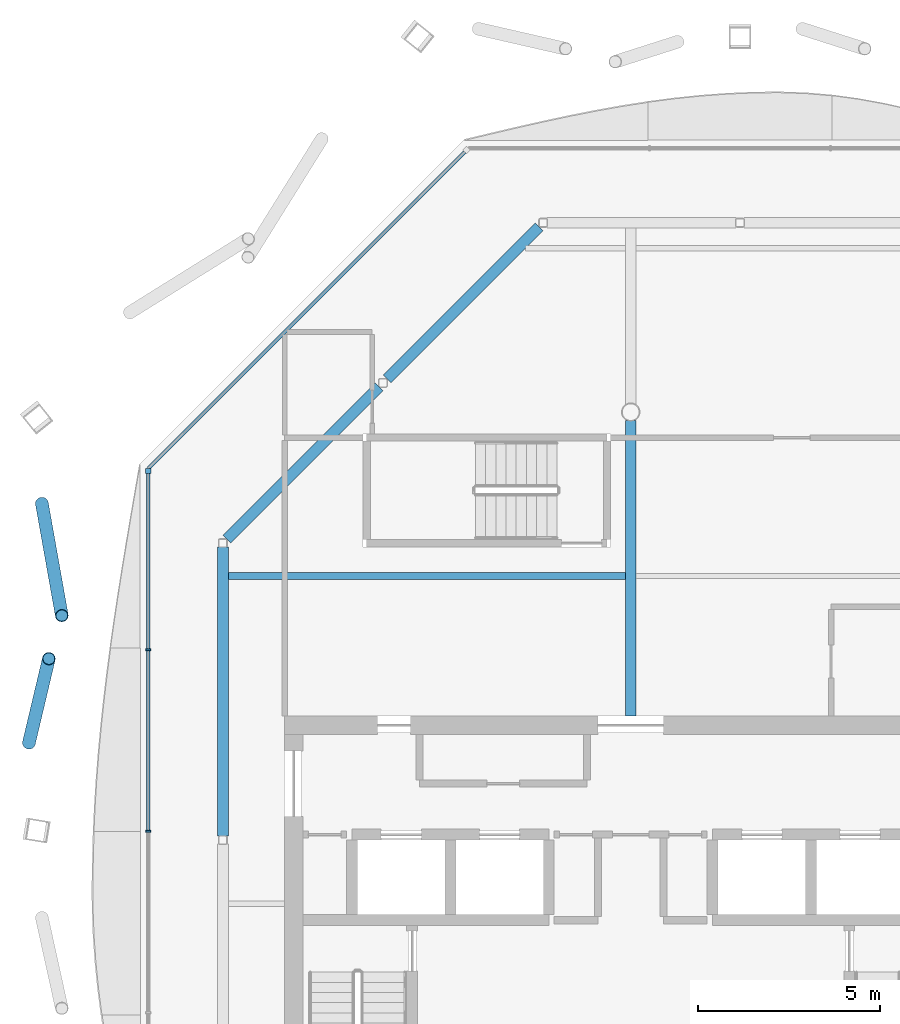
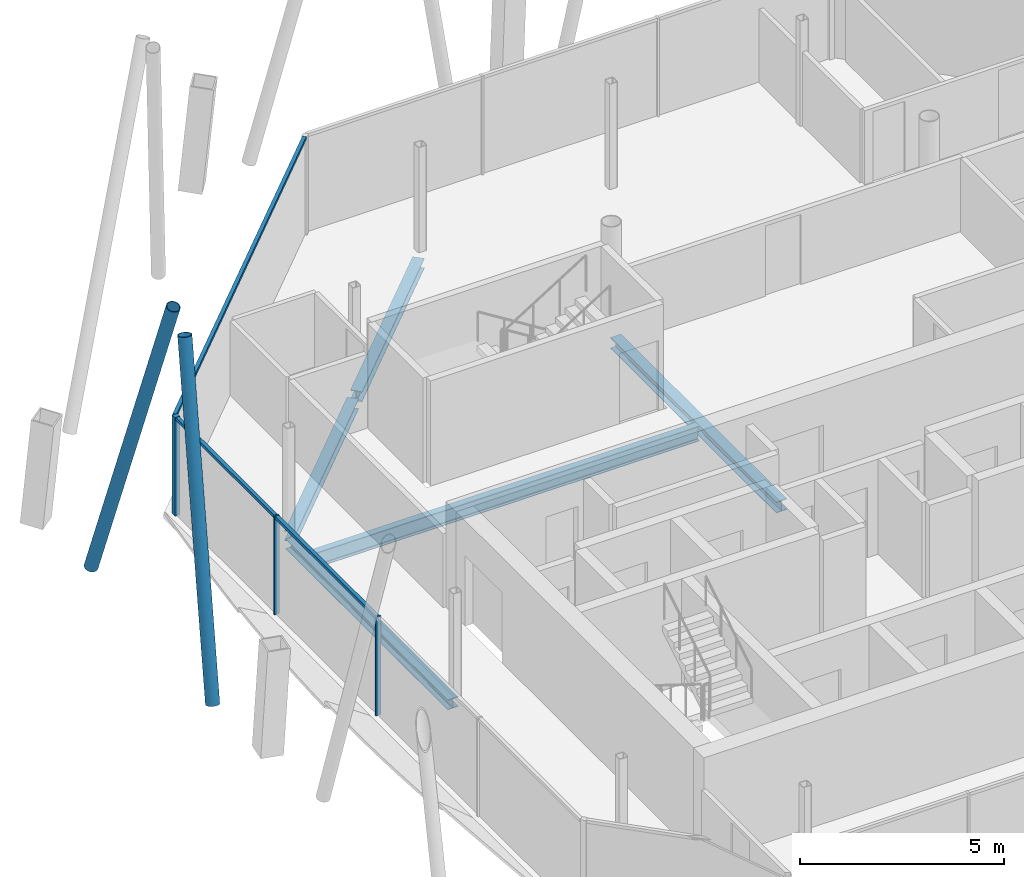
# One storey, part 5 of 14: 8 members, 5 beams, 2 elements without a shape of their own.
"""IFC4 building model written with IfcOpenShell, lengths in metres."""

from ifc_helpers import new_model, si_unit, direction, frame, origin, origin_2d, place, context, subcontext, project, spatial, rectangle, hollow_circle, i_section, extrude, material, material_profile, profile_set, type_object, element, aggregate, save


model = new_model("IFC4")

# Units and contexts
model_context = context("Model", 3, precision=1e-05, world=origin(), true_north=direction((0.0, 1.0)))
body_context = subcontext(model_context, "Body", "Model", "MODEL_VIEW")
ifc_project = project(units=[si_unit("LENGTHUNIT", "METRE"), si_unit("AREAUNIT", "SQUARE_METRE"), si_unit("VOLUMEUNIT", "CUBIC_METRE"), si_unit("PLANEANGLEUNIT", "RADIAN"), si_unit("MASSUNIT", "GRAM", prefix="KILO")], contexts=[model_context])

# Site, building, storey
site_placement = place(None, origin())
site = spatial("IfcSite", under=ifc_project, at=site_placement, CompositionType="ELEMENT")
building_placement = place(site_placement, origin())
building = spatial("IfcBuilding", under=site, at=building_placement, Name="Tskaro Facet Tower", CompositionType="ELEMENT")
storey_placement = place(building_placement, frame((0.0, 0.0, 268.949951171875)))
storey = spatial("IfcBuildingStorey", under=building, at=storey_placement, Name="L71", CompositionType="ELEMENT", Elevation=268.949951171875)

# Members
ifc_material_1 = material(Name="Steel S355J2H", Category="steel")
ifc_material_profile_1 = material_profile(ifc_material_1, hollow_circle(Radius=0.177734375, WallThickness=0.01611328125, at=origin_2d()), Name="CHS 355.6x16")
ifc_profile_set_1 = profile_set([ifc_material_profile_1], Name="Steel S355J2H")
member_type_1 = type_object("IfcMemberType", Name="CHS 355.6x16 brace", PredefinedType="BRACE", material=ifc_profile_set_1)
member_1_placement = place(storey_placement, frame((-16.16748046875, 6.491455078125, 0.0), z_axis=(0.055035696488, -0.309465427044, 0.949316712997), x_axis=(0.984551748656, 0.175093844031, 0.0)))
element("IfcMember", 1, at=member_1_placement, inside=storey, type_object=member_type_1, Name="CHS 355.6x16 XB10A/6", PredefinedType="BRACE", context=body_context, shape_type="SweptSolid", body=[
    extrude(hollow_circle(Radius=0.177734375, WallThickness=0.01611328125, at=origin_2d()), origin(), (0.0, 0.0, 1.0), 9.95458984375),
])
member_2_placement = place(storey_placement, frame((-16.52294921875, -0.08056640625, 0.0), z_axis=(0.056199727549, 0.237226491498, 0.969827398229), x_axis=(-0.97306694205, 0.23052272402, 0.0)))
element("IfcMember", 2, at=member_2_placement, inside=storey, type_object=member_type_1, Name="CHS 355.6x16 XB10B/6", PredefinedType="BRACE", context=body_context, shape_type="SweptSolid", body=[
    extrude(hollow_circle(Radius=0.177734375, WallThickness=0.01611328125, at=origin_2d()), origin(), (0.0, 0.0, 1.0), 9.743896484375),
])

# Curtain wall, members
ifc_material_2 = material(Name="Bronze anodised aluminium 6063-T6", Category="aluminium")
curtain_wall_type = type_object("IfcCurtainWallType", Name="Bronze residence curtain wall (FW3)", PredefinedType="NOTDEFINED", material=ifc_material_2)
curtain_wall_1_placement = place(storey_placement, origin())
curtain_wall_1 = element("IfcCurtainWall", 3, at=curtain_wall_1_placement, inside=storey, type_object=curtain_wall_type, Name="FW3 west facet L71", PredefinedType="NOTDEFINED")
ifc_material_profile_2 = material_profile(ifc_material_2, rectangle(XDim=0.139892578125, YDim=0.139892578125, at=origin_2d()), Name="Corner post 140x140")
ifc_profile_set_2 = profile_set([ifc_material_profile_2], Name="Bronze anodised aluminium 6063-T6")
member_type_2 = type_object("IfcMemberType", Name="FW3 bronze corner post 140x140", PredefinedType="MULLION", material=ifc_profile_set_2)
member_3_placement = place(storey_placement, frame((-13.24609375, 7.386962890625, 0.0), z_axis=(0.0, 0.0, 1.0), x_axis=(0.0, -1.0, 0.0)))
member_3 = element("IfcMember", 4, at=member_3_placement, type_object=member_type_2, Name="FW3 west corner post", PredefinedType="MULLION", context=body_context, shape_type="SweptSolid", body=[
    extrude(rectangle(XDim=0.139892578125, YDim=0.139892578125, at=origin_2d()), origin(), (0.0, 0.0, 1.0), 2.949951171875),
])
ifc_material_profile_3 = material_profile(ifc_material_2, rectangle(XDim=0.050048828125, YDim=0.139892578125, at=origin_2d()), Name="Mullion 50x140")
ifc_profile_set_3 = profile_set([ifc_material_profile_3], Name="Bronze anodised aluminium 6063-T6")
member_type_3 = type_object("IfcMemberType", Name="FW3 bronze mullion 50x140", PredefinedType="MULLION", material=ifc_profile_set_3)
member_4_placement = place(storey_placement, frame((-13.24609375, 2.472900390625, 0.0), z_axis=(0.0, 0.0, 1.0), x_axis=(0.0, -1.0, 0.0)))
member_4 = element("IfcMember", 5, at=member_4_placement, type_object=member_type_3, Name="FW3 west mullion 1", PredefinedType="MULLION", context=body_context, shape_type="SweptSolid", body=[
    extrude(rectangle(XDim=0.050048828125, YDim=0.139892578125, at=origin_2d()), origin(), (0.0, 0.0, 1.0), 2.949951171875),
])
member_5_placement = place(storey_placement, frame((-13.24609375, -2.510986328125, 0.0), z_axis=(0.0, 0.0, 1.0), x_axis=(0.0, -1.0, 0.0)))
member_5 = element("IfcMember", 6, at=member_5_placement, type_object=member_type_3, Name="FW3 west mullion 2", PredefinedType="MULLION", context=body_context, shape_type="SweptSolid", body=[
    extrude(rectangle(XDim=0.050048828125, YDim=0.139892578125, at=origin_2d()), origin(), (0.0, 0.0, 1.0), 2.949951171875),
])

# Curtain wall, member
curtain_wall_2_placement = place(storey_placement, origin())
curtain_wall_2 = element("IfcCurtainWall", 7, at=curtain_wall_2_placement, inside=storey, type_object=curtain_wall_type, Name="FW3 north-west facet L71", PredefinedType="NOTDEFINED")
ifc_material_profile_4 = material_profile(ifc_material_2, rectangle(XDim=0.10009765625, YDim=0.090087890625, at=origin_2d()), Name="Transom 100x90")
ifc_profile_set_4 = profile_set([ifc_material_profile_4], Name="Bronze anodised aluminium 6063-T6")
member_type_4 = type_object("IfcMemberType", Name="FW3 bronze transom 100x90", PredefinedType="USERDEFINED", material=ifc_profile_set_4)
member_6_placement = place(storey_placement, frame((-4.555908203125, 16.14697265625, 2.905029296875), z_axis=(-0.707116713926, -0.707096848307, 0.0), x_axis=(0.707096848307, -0.707116713926, 0.0)))
member_6 = element("IfcMember", 8, at=member_6_placement, type_object=member_type_4, Name="FW3 north-west transom 1.1", ObjectType="TRANSOM", PredefinedType="USERDEFINED", context=body_context, shape_type="SweptSolid", body=[
    extrude(rectangle(XDim=0.10009765625, YDim=0.090087890625, at=origin_2d()), origin(), (0.0, 0.0, 1.0), 12.28955078125),
])
aggregate(curtain_wall_2, [member_6])

# Member
member_7_placement = place(storey_placement, frame((-13.24609375, 7.31689453125, 2.905029296875), z_axis=(0.0, -1.0, 0.0), x_axis=(1.0, 0.0, 0.0)))
member_7 = element("IfcMember", 9, at=member_7_placement, type_object=member_type_4, Name="FW3 west transom 1.1", ObjectType="TRANSOM", PredefinedType="USERDEFINED", context=body_context, shape_type="SweptSolid", body=[
    extrude(rectangle(XDim=0.10009765625, YDim=0.090087890625, at=origin_2d()), origin(), (0.0, 0.0, 1.0), 4.81884765625),
])

member_8_placement = place(storey_placement, frame((-13.24609375, 2.447998046875, 2.905029296875), z_axis=(0.0, -1.0, 0.0), x_axis=(1.0, 0.0, 0.0)))
member_8 = element("IfcMember", 10, at=member_8_placement, type_object=member_type_4, Name="FW3 west transom 2.1", ObjectType="TRANSOM", PredefinedType="USERDEFINED", context=body_context, shape_type="SweptSolid", body=[
    extrude(rectangle(XDim=0.10009765625, YDim=0.090087890625, at=origin_2d()), origin(), (0.0, 0.0, 1.0), 4.93408203125),
])

aggregate(curtain_wall_1, [member_3, member_4, member_5, member_7, member_8])

# Beams
ifc_material_3 = material(Name="Steel S355J2", Category="steel")
ifc_material_profile_5 = material_profile(ifc_material_3, i_section(OverallWidth=0.300048828125, OverallDepth=0.300048828125, WebThickness=0.010986328125, FlangeThickness=0.01904296875, FilletRadius=0.027099609375, at=origin_2d()), Name="HE 300 B")
ifc_profile_set_5 = profile_set([ifc_material_profile_5], Name="Steel S355J2")
beam_type_1 = type_object("IfcBeamType", Name="HE 300 B ring beam", PredefinedType="BEAM", material=ifc_profile_set_5)
for number, where, z_axis, x_axis, name in (
    (11, (-2.513916015625, 14.089111328125, -0.2900390625), (-0.707024112481, -0.707189440228, 0.0), (0.707189440228, -0.707024112481, 0.0), "HE 300 B EB11-6"),
    (12, (-6.911865234375, 9.690185546875, -0.2900390625), (-0.707189440228, -0.707024112481, 0.0), (0.707024112481, -0.707189440228, 0.0), "HE 300 B EB12-6"),
):
    element("IfcBeam", number, at=place(storey_placement, frame(where, z_axis=z_axis, x_axis=x_axis)), inside=storey, type_object=beam_type_1, Name=name, PredefinedType="BEAM", context=body_context, shape_type="SweptSolid", body=[
        extrude(i_section(OverallWidth=0.300048828125, OverallDepth=0.300048828125, WebThickness=0.010986328125, FlangeThickness=0.01904296875, FilletRadius=0.027099609375, at=origin_2d()), origin(), (0.0, 0.0, 1.0), 5.90673828125),
    ])
beam_1_placement = place(storey_placement, frame((-11.199951171875, 5.298095703125, -0.2900390625), z_axis=(0.0, -1.0, 0.0), x_axis=(1.0, 0.0, 0.0)))
element("IfcBeam", 13, at=beam_1_placement, inside=storey, type_object=beam_type_1, Name="HE 300 B EB13-6", PredefinedType="BEAM", context=body_context, shape_type="SweptSolid", body=[
    extrude(i_section(OverallWidth=0.300048828125, OverallDepth=0.300048828125, WebThickness=0.010986328125, FlangeThickness=0.01904296875, FilletRadius=0.027099609375, at=origin_2d()), origin(), (0.0, 0.0, 1.0), 7.943115234375),
])
ifc_material_profile_6 = material_profile(ifc_material_3, i_section(OverallWidth=0.300048828125, OverallDepth=0.330078125, WebThickness=0.009521484375, FlangeThickness=0.0166015625, FilletRadius=0.027099609375, at=origin_2d()), Name="HE 340 A")
ifc_profile_set_6 = profile_set([ifc_material_profile_6], Name="Steel S355J2")
beam_type_2 = type_object("IfcBeamType", Name="HE 340 A girder", PredefinedType="BEAM", material=ifc_profile_set_6)
beam_2_placement = place(storey_placement, frame((0.0, 0.64990234375, -0.304931640625), z_axis=(0.0, 1.0, 0.0), x_axis=(-1.0, 0.0, 0.0)))
element("IfcBeam", 14, at=beam_2_placement, inside=storey, type_object=beam_type_2, Name="HE 340 A GB4-2-6", PredefinedType="BEAM", context=body_context, shape_type="SweptSolid", body=[
    extrude(i_section(OverallWidth=0.300048828125, OverallDepth=0.330078125, WebThickness=0.009521484375, FlangeThickness=0.0166015625, FilletRadius=0.027099609375, at=origin_2d()), origin(), (0.0, 0.0, 1.0), 8.1259765625),
])
ifc_material_profile_7 = material_profile(ifc_material_3, i_section(OverallWidth=0.18994140625, OverallDepth=0.449951171875, WebThickness=0.009521484375, FlangeThickness=0.0146484375, FilletRadius=0.02099609375, at=origin_2d()), Name="IPE 450")
ifc_profile_set_7 = profile_set([ifc_material_profile_7], Name="Steel S355J2")
beam_type_3 = type_object("IfcBeamType", Name="IPE 450 long secondary beam", PredefinedType="BEAM", material=ifc_profile_set_7)
beam_3_placement = place(storey_placement, frame((-11.050048828125, 4.5, -0.364990234375), z_axis=(1.0, 0.0, 0.0), x_axis=(0.0, 1.0, 0.0)))
element("IfcBeam", 15, at=beam_3_placement, inside=storey, type_object=beam_type_3, Name="IPE 450 LSB4a-1-6", PredefinedType="BEAM", context=body_context, shape_type="SweptSolid", body=[
    extrude(i_section(OverallWidth=0.18994140625, OverallDepth=0.449951171875, WebThickness=0.009521484375, FlangeThickness=0.0146484375, FilletRadius=0.02099609375, at=origin_2d()), origin(), (0.0, 0.0, 1.0), 10.900146484375),
])

save(model, "model.ifc")
